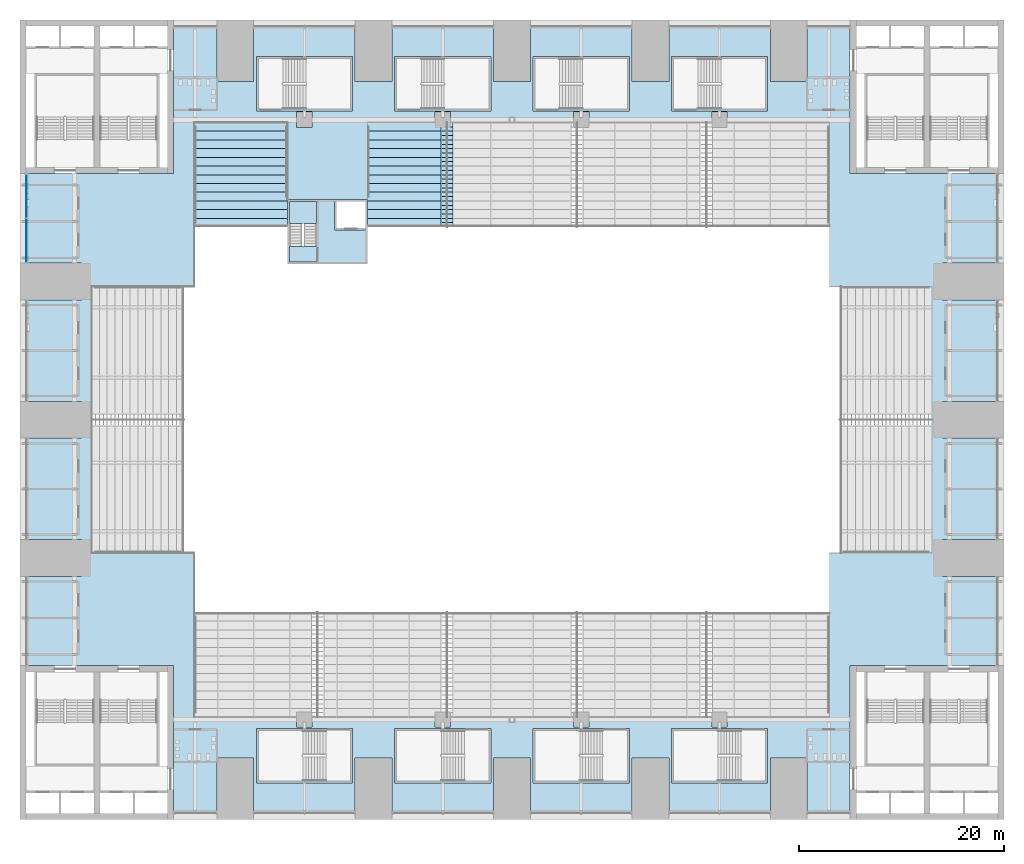
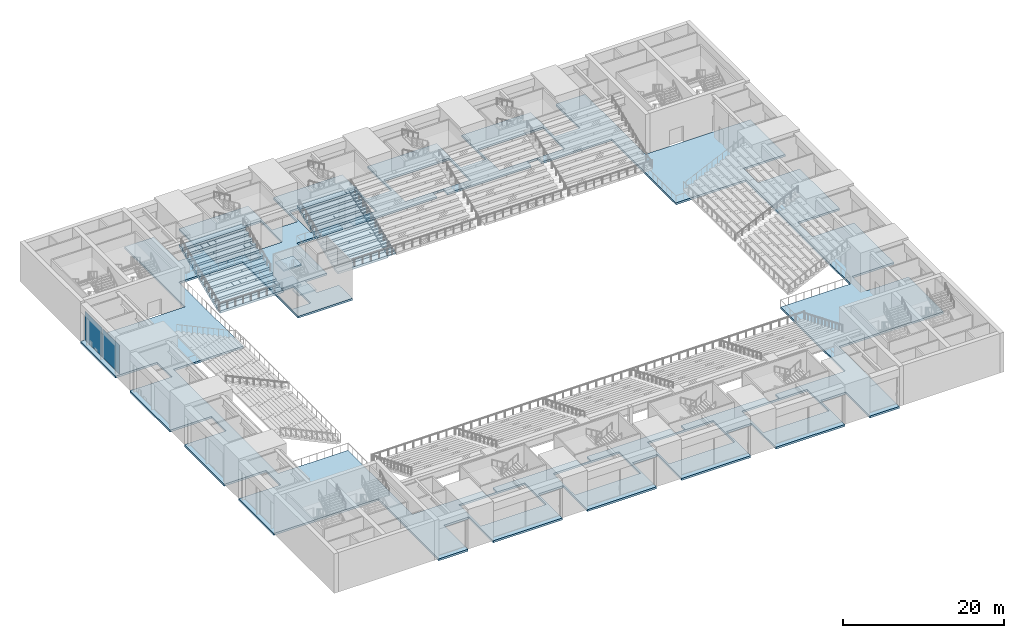
# One storey, part 20 of 61: 8 slabs, 2 plates, 2 elements without a shape of their own.
"""IFC4 building model written with IfcOpenShell, lengths in metres."""

from ifc_helpers import new_model, si_unit, direction, frame, origin, origin_2d, place, context, subcontext, project, spatial, polyline, rectangle, outline, extrude, material, layer, layer_set, type_object, element, aggregate, save


model = new_model("IFC4")

# Units and contexts
model_context = context("Model", 3, precision=1e-05, world=origin(), true_north=direction((0.0, 1.0)))
body_context = subcontext(model_context, "Body", "Model", "MODEL_VIEW")
ifc_project = project(units=[si_unit("LENGTHUNIT", "METRE"), si_unit("AREAUNIT", "SQUARE_METRE"), si_unit("VOLUMEUNIT", "CUBIC_METRE"), si_unit("PLANEANGLEUNIT", "RADIAN"), si_unit("MASSUNIT", "GRAM", prefix="KILO")], contexts=[model_context])

# Site, building, storey
site_placement = place(None, origin())
site = spatial("IfcSite", under=ifc_project, at=site_placement, CompositionType="ELEMENT")
building_placement = place(site_placement, origin())
building = spatial("IfcBuilding", under=site, at=building_placement, Name="Corbelhall Arena Tower", CompositionType="ELEMENT")
storey_placement = place(building_placement, frame((0.0, 0.0, 31.0)))
storey = spatial("IfcBuildingStorey", under=building, at=storey_placement, Name="L04", CompositionType="ELEMENT", Elevation=31.0)

# Slabs
ifc_material_1 = material(Name="Precast concrete C40/50", Category="concrete")
ifc_layer_1 = layer(ifc_material_1, 0.25)
ifc_layer_set_1 = layer_set([ifc_layer_1], Name="AISLE STEPS (BC 1029)")
slab_type_1 = type_object("IfcSlabType", Name="AISLE STEPS (BC 1029)", PredefinedType="FLOOR", material=ifc_layer_set_1)
slab_1_placement = place(storey_placement, frame((-6.320068359375, 18.800048828125, 1.625), z_axis=(0.0, 0.0, 1.0), x_axis=(0.0, 1.0, 0.0)))
element("IfcSlab", 1, at=slab_1_placement, inside=storey, type_object=slab_type_1, Name="Aisle steps UN-AIS2", PredefinedType="FLOOR", context=body_context, shape_type="SweptSolid", body=[
    extrude(outline(polyline([(0.0, 0.0), (0.0, 0.175048828125), (0.425048828125, 0.175048828125), (0.425048828125, 0.35009765625), (0.85009765625, 0.35009765625), (0.85009765625, 0.52490234375), (1.27490234375, 0.52490234375), (1.27490234375, 0.699951171875), (1.699951171875, 0.699951171875), (1.699951171875, 0.875), (2.125, 0.875), (2.125, 1.050048828125), (2.550048828125, 1.050048828125), (2.550048828125, 1.22509765625), (2.97509765625, 1.22509765625), (2.97509765625, 1.39990234375), (3.39990234375, 1.39990234375), (3.39990234375, 1.574951171875), (3.824951171875, 1.574951171875), (3.824951171875, 1.75), (4.25, 1.75), (4.25, 1.925048828125), (4.675048828125, 1.925048828125), (4.675048828125, 2.10009765625), (5.10009765625, 2.10009765625), (5.10009765625, 2.27490234375), (5.52490234375, 2.27490234375), (5.52490234375, 2.449951171875), (5.949951171875, 2.449951171875), (5.949951171875, 2.625), (6.375, 2.625), (6.375, 2.800048828125), (6.800048828125, 2.800048828125), (6.800048828125, 2.97509765625), (7.22509765625, 2.97509765625), (7.22509765625, 3.14990234375), (7.64990234375, 3.14990234375), (7.64990234375, 3.324951171875), (8.074951171875, 3.324951171875), (8.074951171875, 3.5), (8.5, 3.5), (8.5, 3.675048828125), (8.925048828125, 3.675048828125), (8.925048828125, 3.85009765625), (9.35009765625, 3.85009765625), (9.35009765625, 4.02490234375), (9.77490234375, 4.02490234375), (9.77490234375, 4.199951171875), (10.199951171875, 4.199951171875), (10.199951171875, 4.375), (10.199951171875, 3.754638671875), (1.081787109375, 0.0), (0.0, 0.0)])), frame((0.0, 0.580078125, 0.0), z_axis=(0.0, -1.0, 0.0), x_axis=(1.0, 0.0, 0.0)), (0.0, 0.0, 1.0), 1.159912109375),
])
ifc_layer_2 = layer(ifc_material_1, 0.25)
ifc_layer_set_2 = layer_set([ifc_layer_2], Name="AR-TIER-RAKED")
slab_type_2 = type_object("IfcSlabType", Name="AR-TIER-RAKED", PredefinedType="FLOOR", material=ifc_layer_set_2)
slab_2_placement = place(storey_placement, frame((-26.449951171875, 18.800048828125, 1.449951171875), z_axis=(0.0, 0.0, 1.0), x_axis=(0.0, 1.0, 0.0)))
element("IfcSlab", 2, at=slab_2_placement, inside=storey, type_object=slab_type_2, Name="Tier section UNA", PredefinedType="FLOOR", context=body_context, shape_type="SweptSolid", body=[
    extrude(outline(polyline([(0.0, 0.0), (0.0, 0.35009765625), (0.85009765625, 0.35009765625), (0.85009765625, 0.699951171875), (1.699951171875, 0.699951171875), (1.699951171875, 1.050048828125), (2.550048828125, 1.050048828125), (2.550048828125, 1.39990234375), (3.39990234375, 1.39990234375), (3.39990234375, 1.75), (4.25, 1.75), (4.25, 2.10009765625), (5.10009765625, 2.10009765625), (5.10009765625, 2.449951171875), (5.949951171875, 2.449951171875), (5.949951171875, 2.800048828125), (6.800048828125, 2.800048828125), (6.800048828125, 3.14990234375), (7.64990234375, 3.14990234375), (7.64990234375, 3.5), (8.5, 3.5), (8.5, 3.85009765625), (9.35009765625, 3.85009765625), (9.35009765625, 4.199951171875), (10.199951171875, 4.199951171875), (10.199951171875, 4.550048828125), (10.199951171875, 3.9296875), (0.656494140625, 0.0), (0.0, 0.0)])), frame((0.0, 4.550048828125, 0.0), z_axis=(0.0, -1.0, 0.0), x_axis=(1.0, 0.0, 0.0)), (0.0, 0.0, 1.0), 0.449951171875),
    extrude(outline(polyline([(0.0, 0.0), (0.0, 0.35009765625), (0.85009765625, 0.35009765625), (0.85009765625, 0.699951171875), (1.699951171875, 0.699951171875), (1.699951171875, 1.050048828125), (2.550048828125, 1.050048828125), (2.550048828125, 1.39990234375), (3.39990234375, 1.39990234375), (3.39990234375, 1.75), (4.25, 1.75), (4.25, 2.10009765625), (5.10009765625, 2.10009765625), (5.10009765625, 2.449951171875), (5.949951171875, 2.449951171875), (5.949951171875, 2.800048828125), (6.800048828125, 2.800048828125), (6.800048828125, 3.14990234375), (7.64990234375, 3.14990234375), (7.64990234375, 3.5), (8.5, 3.5), (8.5, 3.85009765625), (9.35009765625, 3.85009765625), (9.35009765625, 4.199951171875), (10.199951171875, 4.199951171875), (10.199951171875, 4.550048828125), (10.199951171875, 3.9296875), (0.656494140625, 0.0), (0.0, 0.0)])), frame((0.0, 4.095947265625, 0.0), z_axis=(0.0, -1.0, 0.0), x_axis=(1.0, 0.0, 0.0)), (0.0, 0.0, 1.0), 1.0205078125),
    extrude(outline(polyline([(0.0, 0.0), (0.0, 0.35009765625), (0.85009765625, 0.35009765625), (0.85009765625, 0.699951171875), (1.699951171875, 0.699951171875), (1.699951171875, 1.050048828125), (2.550048828125, 1.050048828125), (2.550048828125, 1.39990234375), (3.39990234375, 1.39990234375), (3.39990234375, 1.75), (4.25, 1.75), (4.25, 2.10009765625), (5.10009765625, 2.10009765625), (5.10009765625, 2.449951171875), (5.949951171875, 2.449951171875), (5.949951171875, 2.800048828125), (6.800048828125, 2.800048828125), (6.800048828125, 3.14990234375), (7.64990234375, 3.14990234375), (7.64990234375, 3.5), (8.5, 3.5), (8.5, 3.85009765625), (9.35009765625, 3.85009765625), (9.35009765625, 4.199951171875), (10.199951171875, 4.199951171875), (10.199951171875, 4.550048828125), (10.199951171875, 3.9296875), (0.656494140625, 0.0), (0.0, 0.0)])), frame((0.0, 3.071533203125, 0.0), z_axis=(0.0, -1.0, 0.0), x_axis=(1.0, 0.0, 0.0)), (0.0, 0.0, 1.0), 1.0205078125),
    extrude(outline(polyline([(0.0, 0.0), (0.0, 0.35009765625), (0.85009765625, 0.35009765625), (0.85009765625, 0.699951171875), (1.699951171875, 0.699951171875), (1.699951171875, 1.050048828125), (2.550048828125, 1.050048828125), (2.550048828125, 1.39990234375), (3.39990234375, 1.39990234375), (3.39990234375, 1.75), (4.25, 1.75), (4.25, 2.10009765625), (5.10009765625, 2.10009765625), (5.10009765625, 2.449951171875), (5.949951171875, 2.449951171875), (5.949951171875, 2.800048828125), (6.800048828125, 2.800048828125), (6.800048828125, 3.14990234375), (7.64990234375, 3.14990234375), (7.64990234375, 3.5), (8.5, 3.5), (8.5, 3.85009765625), (9.35009765625, 3.85009765625), (9.35009765625, 4.199951171875), (10.199951171875, 4.199951171875), (10.199951171875, 4.550048828125), (10.199951171875, 3.9296875), (0.656494140625, 0.0), (0.0, 0.0)])), frame((0.0, 2.047119140625, 0.0), z_axis=(0.0, -1.0, 0.0), x_axis=(1.0, 0.0, 0.0)), (0.0, 0.0, 1.0), 1.0205078125),
    extrude(outline(polyline([(0.0, 0.0), (0.0, 0.35009765625), (0.85009765625, 0.35009765625), (0.85009765625, 0.699951171875), (1.699951171875, 0.699951171875), (1.699951171875, 1.050048828125), (2.550048828125, 1.050048828125), (2.550048828125, 1.39990234375), (3.39990234375, 1.39990234375), (3.39990234375, 1.75), (4.25, 1.75), (4.25, 2.10009765625), (5.10009765625, 2.10009765625), (5.10009765625, 2.449951171875), (5.949951171875, 2.449951171875), (5.949951171875, 2.800048828125), (6.800048828125, 2.800048828125), (6.800048828125, 3.14990234375), (7.64990234375, 3.14990234375), (7.64990234375, 3.5), (8.5, 3.5), (8.5, 3.85009765625), (9.35009765625, 3.85009765625), (9.35009765625, 4.199951171875), (10.199951171875, 4.199951171875), (10.199951171875, 4.550048828125), (10.199951171875, 3.9296875), (0.656494140625, 0.0), (0.0, 0.0)])), frame((0.0, 1.0224609375, 0.0), z_axis=(0.0, -1.0, 0.0), x_axis=(1.0, 0.0, 0.0)), (0.0, 0.0, 1.0), 1.0205078125),
    extrude(outline(polyline([(0.0, 0.0), (0.0, 0.35009765625), (0.85009765625, 0.35009765625), (0.85009765625, 0.699951171875), (1.699951171875, 0.699951171875), (1.699951171875, 1.050048828125), (2.550048828125, 1.050048828125), (2.550048828125, 1.39990234375), (3.39990234375, 1.39990234375), (3.39990234375, 1.75), (4.25, 1.75), (4.25, 2.10009765625), (5.10009765625, 2.10009765625), (5.10009765625, 2.449951171875), (5.949951171875, 2.449951171875), (5.949951171875, 2.800048828125), (6.800048828125, 2.800048828125), (6.800048828125, 3.14990234375), (7.64990234375, 3.14990234375), (7.64990234375, 3.5), (8.5, 3.5), (8.5, 3.85009765625), (9.35009765625, 3.85009765625), (9.35009765625, 4.199951171875), (10.199951171875, 4.199951171875), (10.199951171875, 4.550048828125), (10.199951171875, 3.9296875), (0.656494140625, 0.0), (0.0, 0.0)])), frame((0.0, -0.001953125, 0.0), z_axis=(0.0, -1.0, 0.0), x_axis=(1.0, 0.0, 0.0)), (0.0, 0.0, 1.0), 1.0205078125),
    extrude(outline(polyline([(0.0, 0.0), (0.0, 0.35009765625), (0.85009765625, 0.35009765625), (0.85009765625, 0.699951171875), (1.699951171875, 0.699951171875), (1.699951171875, 1.050048828125), (2.550048828125, 1.050048828125), (2.550048828125, 1.39990234375), (3.39990234375, 1.39990234375), (3.39990234375, 1.75), (4.25, 1.75), (4.25, 2.10009765625), (5.10009765625, 2.10009765625), (5.10009765625, 2.449951171875), (5.949951171875, 2.449951171875), (5.949951171875, 2.800048828125), (6.800048828125, 2.800048828125), (6.800048828125, 3.14990234375), (7.64990234375, 3.14990234375), (7.64990234375, 3.5), (8.5, 3.5), (8.5, 3.85009765625), (9.35009765625, 3.85009765625), (9.35009765625, 4.199951171875), (10.199951171875, 4.199951171875), (10.199951171875, 4.550048828125), (10.199951171875, 3.9296875), (0.656494140625, 0.0), (0.0, 0.0)])), frame((0.0, -1.026611328125, 0.0), z_axis=(0.0, -1.0, 0.0), x_axis=(1.0, 0.0, 0.0)), (0.0, 0.0, 1.0), 1.0205078125),
    extrude(outline(polyline([(0.0, 0.0), (0.0, 0.35009765625), (0.85009765625, 0.35009765625), (0.85009765625, 0.699951171875), (1.699951171875, 0.699951171875), (1.699951171875, 1.050048828125), (2.550048828125, 1.050048828125), (2.550048828125, 1.39990234375), (3.39990234375, 1.39990234375), (3.39990234375, 1.75), (4.25, 1.75), (4.25, 2.10009765625), (5.10009765625, 2.10009765625), (5.10009765625, 2.449951171875), (5.949951171875, 2.449951171875), (5.949951171875, 2.800048828125), (6.800048828125, 2.800048828125), (6.800048828125, 3.14990234375), (7.64990234375, 3.14990234375), (7.64990234375, 3.5), (8.5, 3.5), (8.5, 3.85009765625), (9.35009765625, 3.85009765625), (9.35009765625, 4.199951171875), (10.199951171875, 4.199951171875), (10.199951171875, 4.550048828125), (10.199951171875, 3.9296875), (0.656494140625, 0.0), (0.0, 0.0)])), frame((0.0, -2.051025390625, 0.0), z_axis=(0.0, -1.0, 0.0), x_axis=(1.0, 0.0, 0.0)), (0.0, 0.0, 1.0), 1.0205078125),
    extrude(outline(polyline([(0.0, 0.0), (0.0, 0.35009765625), (0.85009765625, 0.35009765625), (0.85009765625, 0.699951171875), (1.699951171875, 0.699951171875), (1.699951171875, 1.050048828125), (2.550048828125, 1.050048828125), (2.550048828125, 1.39990234375), (3.39990234375, 1.39990234375), (3.39990234375, 1.75), (4.25, 1.75), (4.25, 2.10009765625), (5.10009765625, 2.10009765625), (5.10009765625, 2.449951171875), (5.949951171875, 2.449951171875), (5.949951171875, 2.800048828125), (6.800048828125, 2.800048828125), (6.800048828125, 3.14990234375), (7.64990234375, 3.14990234375), (7.64990234375, 3.5), (8.5, 3.5), (8.5, 3.85009765625), (9.35009765625, 3.85009765625), (9.35009765625, 4.199951171875), (10.199951171875, 4.199951171875), (10.199951171875, 4.550048828125), (10.199951171875, 3.9296875), (0.656494140625, 0.0), (0.0, 0.0)])), frame((0.0, -3.075439453125, 0.0), z_axis=(0.0, -1.0, 0.0), x_axis=(1.0, 0.0, 0.0)), (0.0, 0.0, 1.0), 1.0205078125),
    extrude(outline(polyline([(0.0, 0.0), (0.0, 0.35009765625), (0.85009765625, 0.35009765625), (0.85009765625, 0.699951171875), (1.699951171875, 0.699951171875), (1.699951171875, 1.050048828125), (2.550048828125, 1.050048828125), (2.550048828125, 1.39990234375), (3.39990234375, 1.39990234375), (3.39990234375, 1.75), (4.25, 1.75), (4.25, 2.10009765625), (5.10009765625, 2.10009765625), (5.10009765625, 2.449951171875), (5.949951171875, 2.449951171875), (5.949951171875, 2.800048828125), (6.800048828125, 2.800048828125), (6.800048828125, 3.14990234375), (7.64990234375, 3.14990234375), (7.64990234375, 3.5), (8.5, 3.5), (8.5, 3.85009765625), (9.35009765625, 3.85009765625), (9.35009765625, 4.199951171875), (10.199951171875, 4.199951171875), (10.199951171875, 4.550048828125), (10.199951171875, 3.9296875), (0.656494140625, 0.0), (0.0, 0.0)])), frame((0.0, -4.10009765625, 0.0), z_axis=(0.0, -1.0, 0.0), x_axis=(1.0, 0.0, 0.0)), (0.0, 0.0, 1.0), 0.449951171875),
])
slab_3_placement = place(storey_placement, frame((-10.510009765625, 18.800048828125, 1.449951171875), z_axis=(0.0, 0.0, 1.0), x_axis=(0.0, 1.0, 0.0)))
element("IfcSlab", 3, at=slab_3_placement, inside=storey, type_object=slab_type_2, Name="Tier section UNBR", PredefinedType="FLOOR", context=body_context, shape_type="SweptSolid", body=[
    extrude(outline(polyline([(0.0, 0.0), (0.0, 0.35009765625), (0.85009765625, 0.35009765625), (0.85009765625, 0.699951171875), (1.699951171875, 0.699951171875), (1.699951171875, 1.050048828125), (2.550048828125, 1.050048828125), (2.550048828125, 1.39990234375), (3.39990234375, 1.39990234375), (3.39990234375, 1.75), (4.25, 1.75), (4.25, 2.10009765625), (5.10009765625, 2.10009765625), (5.10009765625, 2.449951171875), (5.949951171875, 2.449951171875), (5.949951171875, 2.800048828125), (6.800048828125, 2.800048828125), (6.800048828125, 3.14990234375), (7.64990234375, 3.14990234375), (7.64990234375, 3.5), (8.5, 3.5), (8.5, 3.85009765625), (9.35009765625, 3.85009765625), (9.35009765625, 4.199951171875), (10.199951171875, 4.199951171875), (10.199951171875, 4.550048828125), (10.199951171875, 3.9296875), (0.656494140625, 0.0), (0.0, 0.0)])), frame((0.0, 3.58984375, 0.0), z_axis=(0.0, -1.0, 0.0), x_axis=(1.0, 0.0, 0.0)), (0.0, 0.0, 1.0), 0.449951171875),
    extrude(outline(polyline([(0.0, 0.0), (0.0, 0.35009765625), (0.85009765625, 0.35009765625), (0.85009765625, 0.699951171875), (1.699951171875, 0.699951171875), (1.699951171875, 1.050048828125), (2.550048828125, 1.050048828125), (2.550048828125, 1.39990234375), (3.39990234375, 1.39990234375), (3.39990234375, 1.75), (4.25, 1.75), (4.25, 2.10009765625), (5.10009765625, 2.10009765625), (5.10009765625, 2.449951171875), (5.949951171875, 2.449951171875), (5.949951171875, 2.800048828125), (6.800048828125, 2.800048828125), (6.800048828125, 3.14990234375), (7.64990234375, 3.14990234375), (7.64990234375, 3.5), (8.5, 3.5), (8.5, 3.85009765625), (9.35009765625, 3.85009765625), (9.35009765625, 4.199951171875), (10.199951171875, 4.199951171875), (10.199951171875, 4.550048828125), (10.199951171875, 3.9296875), (0.656494140625, 0.0), (0.0, 0.0)])), frame((0.0, 3.135986328125, 0.0), z_axis=(0.0, -1.0, 0.0), x_axis=(1.0, 0.0, 0.0)), (0.0, 0.0, 1.0), 3.134033203125),
    extrude(outline(polyline([(0.0, 0.0), (0.0, 0.35009765625), (0.85009765625, 0.35009765625), (0.85009765625, 0.699951171875), (1.699951171875, 0.699951171875), (1.699951171875, 1.050048828125), (2.550048828125, 1.050048828125), (2.550048828125, 1.39990234375), (3.39990234375, 1.39990234375), (3.39990234375, 1.75), (4.25, 1.75), (4.25, 2.10009765625), (5.10009765625, 2.10009765625), (5.10009765625, 2.449951171875), (5.949951171875, 2.449951171875), (5.949951171875, 2.800048828125), (6.800048828125, 2.800048828125), (6.800048828125, 3.14990234375), (7.64990234375, 3.14990234375), (7.64990234375, 3.5), (8.5, 3.5), (8.5, 3.85009765625), (9.35009765625, 3.85009765625), (9.35009765625, 4.199951171875), (10.199951171875, 4.199951171875), (10.199951171875, 4.550048828125), (10.199951171875, 3.9296875), (0.656494140625, 0.0), (0.0, 0.0)])), frame((0.0, -0.001953125, 0.0), z_axis=(0.0, -1.0, 0.0), x_axis=(1.0, 0.0, 0.0)), (0.0, 0.0, 1.0), 3.134033203125),
    extrude(outline(polyline([(0.0, 0.0), (0.0, 0.35009765625), (0.85009765625, 0.35009765625), (0.85009765625, 0.699951171875), (1.699951171875, 0.699951171875), (1.699951171875, 1.050048828125), (2.550048828125, 1.050048828125), (2.550048828125, 1.39990234375), (3.39990234375, 1.39990234375), (3.39990234375, 1.75), (4.25, 1.75), (4.25, 2.10009765625), (5.10009765625, 2.10009765625), (5.10009765625, 2.449951171875), (5.949951171875, 2.449951171875), (5.949951171875, 2.800048828125), (6.800048828125, 2.800048828125), (6.800048828125, 3.14990234375), (7.64990234375, 3.14990234375), (7.64990234375, 3.5), (8.5, 3.5), (8.5, 3.85009765625), (9.35009765625, 3.85009765625), (9.35009765625, 4.199951171875), (10.199951171875, 4.199951171875), (10.199951171875, 4.550048828125), (10.199951171875, 3.9296875), (0.656494140625, 0.0), (0.0, 0.0)])), frame((0.0, -3.139892578125, 0.0), z_axis=(0.0, -1.0, 0.0), x_axis=(1.0, 0.0, 0.0)), (0.0, 0.0, 1.0), 0.449951171875),
])

# Curtain wall, plates
ifc_material_2 = material(Name="Aluminium black anodised", Category="aluminium")
ifc_layer_3 = layer(ifc_material_2, 0.239990234375)
ifc_layer_set_3 = layer_set([ifc_layer_3], Name="EV-CW4 Arena concourse glazing")
curtain_wall_type = type_object("IfcCurtainWallType", Name="EV-CW4 Arena concourse glazing", PredefinedType="NOTDEFINED", material=ifc_layer_set_3)
curtain_wall_placement = place(storey_placement, origin())
curtain_wall = element("IfcCurtainWall", 4, at=curtain_wall_placement, inside=storey, type_object=curtain_wall_type, Name="Curtain wall CW4B", PredefinedType="NOTDEFINED")
ifc_material_3 = material(Name="Glass dark tinted laminated", Category="glass")
ifc_layer_4 = layer(ifc_material_3, 0.028076171875)
ifc_layer_set_4 = layer_set([ifc_layer_4], Name="EV-CW4-PANEL")
plate_type = type_object("IfcPlateType", Name="EV-CW4-PANEL", PredefinedType="CURTAIN_PANEL", material=ifc_layer_set_4)
plate_1_placement = place(storey_placement, frame((-47.3798828125, 21.80615234375, 0.074951171875), z_axis=(0.0, 0.0, 1.0), x_axis=(0.0, -1.0, 0.0)))
plate_1 = element("IfcPlate", 5, at=plate_1_placement, type_object=plate_type, Name="CW4B panel 1.1", PredefinedType="CURTAIN_PANEL", context=body_context, shape_type="SweptSolid", body=[
    extrude(rectangle(XDim=4.237548828125, YDim=0.028076171875, at=origin_2d()), origin(), (0.0, 0.0, 1.0), 4.35009765625),
])
plate_2_placement = place(storey_placement, frame((-47.3798828125, 17.49365234375, 0.074951171875), z_axis=(0.0, 0.0, 1.0), x_axis=(0.0, -1.0, 0.0)))
plate_2 = element("IfcPlate", 6, at=plate_2_placement, type_object=plate_type, Name="CW4B panel 2.1", PredefinedType="CURTAIN_PANEL", context=body_context, shape_type="SweptSolid", body=[
    extrude(rectangle(XDim=4.237548828125, YDim=0.028076171875, at=origin_2d()), origin(), (0.0, 0.0, 1.0), 4.35009765625),
])
aggregate(curtain_wall, [plate_1, plate_2])

# Slab
ifc_material_4 = material(Name="Concrete C40/50", Category="concrete")
ifc_layer_5 = layer(ifc_material_4, 0.300048828125)
ifc_layer_set_5 = layer_set([ifc_layer_5], Name="IN-SL-EAR")
slab_type_3 = type_object("IfcSlabType", Name="IN-SL-EAR", PredefinedType="FLOOR", material=ifc_layer_set_5)
slab_4_placement = place(storey_placement, frame((0.0, 0.0, -0.300048828125)))
element("IfcSlab", 7, at=slab_4_placement, inside=storey, type_object=slab_type_3, Name="Fire service turret floor", PredefinedType="FLOOR", context=body_context, shape_type="SweptSolid", body=[
    extrude(outline(polyline([(-21.89990234375, 15.199951171875), (-14.10009765625, 15.199951171875), (-14.10009765625, 18.5), (-17.300048828125, 18.5), (-17.300048828125, 21.5), (-21.89990234375, 21.5), (-21.89990234375, 15.199951171875)]), holes=[polyline([(-19.094970703125, 21.300048828125), (-21.695068359375, 21.300048828125), (-21.695068359375, 16.903076171875), (-19.094970703125, 16.903076171875), (-19.094970703125, 21.300048828125)])]), origin(), (0.0, 0.0, 1.0), 0.300048828125),
])

# Stair, slabs
stair_type = type_object("IfcStairType", Name="IN-ST-TOWER", PredefinedType="HALF_TURN_STAIR", material=ifc_material_4)
stair_placement = place(storey_placement, origin())
stair = element("IfcStair", 8, at=stair_placement, inside=storey, type_object=stair_type, Name="L04 Exit stair AS17", PredefinedType="HALF_TURN_STAIR")
ifc_layer_6 = layer(ifc_material_4, 0.199951171875)
ifc_layer_set_6 = layer_set([ifc_layer_6], Name="IN-SL-LANDING")
slab_type_4 = type_object("IfcSlabType", Name="IN-SL-LANDING", PredefinedType="LANDING", material=ifc_layer_set_6)
slab_5_placement = place(storey_placement, frame((0.0, 0.0, 1.300048828125)))
slab_5 = element("IfcSlab", 9, at=slab_5_placement, type_object=slab_type_4, Name="AS17 landing 1", PredefinedType="LANDING", context=body_context, shape_type="SweptSolid", body=[
    extrude(outline(polyline([(-19.094970703125, 19.139892578125), (-19.094970703125, 21.300048828125), (-21.695068359375, 21.300048828125), (-21.695068359375, 19.139892578125), (-19.094970703125, 19.139892578125)])), origin(), (0.0, 0.0, 1.0), 0.199951171875),
])
slab_6_placement = place(storey_placement, frame((0.0, 0.0, 2.800048828125)))
slab_6 = element("IfcSlab", 10, at=slab_6_placement, type_object=slab_type_4, Name="AS17 landing 2", PredefinedType="LANDING", context=body_context, shape_type="SweptSolid", body=[
    extrude(outline(polyline([(-19.094970703125, 15.39990234375), (-19.094970703125, 16.89990234375), (-21.695068359375, 16.89990234375), (-21.695068359375, 15.39990234375), (-19.094970703125, 15.39990234375)])), origin(), (0.0, 0.0, 1.0), 0.199951171875),
])
slab_7_placement = place(storey_placement, frame((0.0, 0.0, 4.300048828125)))
slab_7 = element("IfcSlab", 11, at=slab_7_placement, type_object=slab_type_4, Name="AS17 landing 3", PredefinedType="LANDING", context=body_context, shape_type="SweptSolid", body=[
    extrude(outline(polyline([(-19.094970703125, 19.139892578125), (-19.094970703125, 21.300048828125), (-21.695068359375, 21.300048828125), (-21.695068359375, 19.139892578125), (-19.094970703125, 19.139892578125)])), origin(), (0.0, 0.0, 1.0), 0.199951171875),
])
aggregate(stair, [slab_5, slab_6, slab_7])

# Slab
ifc_material_5 = material(Name="Concrete C32/40", Category="concrete")
ifc_layer_7 = layer(ifc_material_5, 0.300048828125)
ifc_layer_set_7 = layer_set([ifc_layer_7], Name="PO-FLOOR-SLAB")
slab_type_5 = type_object("IfcSlabType", Name="PO-FLOOR-SLAB", PredefinedType="FLOOR", material=ifc_layer_set_7)
slab_8_placement = place(storey_placement, frame((0.0, 0.0, -0.300048828125)))
element("IfcSlab", 12, at=slab_8_placement, inside=storey, type_object=slab_type_5, Name="FLOOR SLAB L04 1", PredefinedType="FLOOR", context=body_context, shape_type="SweptSolid", body=[
    extrude(outline(polyline([(48.0, -24.0), (33.0, -24.0), (33.0, -39.0), (28.800048828125, -39.0), (28.800048828125, -33.0), (25.199951171875, -33.0), (25.199951171875, -39.0), (15.300048828125, -39.0), (15.300048828125, -33.0), (11.699951171875, -33.0), (11.699951171875, -39.0), (1.800048828125, -39.0), (1.800048828125, -33.0), (-1.800048828125, -33.0), (-1.800048828125, -39.0), (-11.699951171875, -39.0), (-11.699951171875, -33.0), (-15.300048828125, -33.0), (-15.300048828125, -39.0), (-25.199951171875, -39.0), (-25.199951171875, -33.0), (-28.800048828125, -33.0), (-28.800048828125, -39.0), (-33.0, -39.0), (-33.0, -24.0), (-48.0, -24.0), (-48.0, -15.300048828125), (-42.0, -15.300048828125), (-42.0, -11.699951171875), (-48.0, -11.699951171875), (-48.0, -1.800048828125), (-42.0, -1.800048828125), (-42.0, 1.800048828125), (-48.0, 1.800048828125), (-48.0, 11.699951171875), (-42.0, 11.699951171875), (-42.0, 15.300048828125), (-48.0, 15.300048828125), (-48.0, 24.0), (-33.0, 24.0), (-33.0, 39.0), (-28.800048828125, 39.0), (-28.800048828125, 33.0), (-25.199951171875, 33.0), (-25.199951171875, 39.0), (-15.300048828125, 39.0), (-15.300048828125, 33.0), (-11.699951171875, 33.0), (-11.699951171875, 39.0), (-1.800048828125, 39.0), (-1.800048828125, 33.0), (1.800048828125, 33.0), (1.800048828125, 39.0), (11.699951171875, 39.0), (11.699951171875, 33.0), (15.300048828125, 33.0), (15.300048828125, 39.0), (25.199951171875, 39.0), (25.199951171875, 33.0), (28.800048828125, 33.0), (28.800048828125, 39.0), (33.0, 39.0), (33.0, 24.0), (48.0, 24.0), (48.0, 15.300048828125), (42.0, 15.300048828125), (42.0, 11.699951171875), (48.0, 11.699951171875), (48.0, 1.800048828125), (42.0, 1.800048828125), (42.0, -1.800048828125), (48.0, -1.800048828125), (48.0, -11.699951171875), (42.0, -11.699951171875), (42.0, -15.300048828125), (48.0, -15.300048828125), (48.0, -24.0)]), holes=[polyline([(-24.949951171875, -35.449951171875), (-15.550048828125, -35.449951171875), (-15.550048828125, -30.10009765625), (-24.949951171875, -30.10009765625), (-24.949951171875, -35.449951171875)]), polyline([(-11.449951171875, -35.449951171875), (-2.050048828125, -35.449951171875), (-2.050048828125, -30.10009765625), (-11.449951171875, -30.10009765625), (-11.449951171875, -35.449951171875)]), polyline([(-19.5, -30.0), (-19.5, -29.0), (-7.5, -29.0), (-7.5, -30.0), (-6.0, -30.0), (-6.0, -29.0), (6.0, -29.0), (6.0, -30.0), (7.5, -30.0), (7.5, -29.0), (19.5, -29.0), (19.5, -30.0), (21.0, -30.0), (21.0, -29.0), (31.0, -29.0), (31.0, -13.0), (41.0, -13.0), (41.0, 13.0), (31.0, 13.0), (31.0, 29.0), (21.0, 29.0), (21.0, 30.0), (19.5, 30.0), (19.5, 29.0), (7.5, 29.0), (7.5, 30.0), (6.0, 30.0), (6.0, 29.0), (-6.0, 29.0), (-6.0, 30.0), (-7.5, 30.0), (-7.5, 29.0), (-14.10009765625, 29.0), (-14.10009765625, 21.5), (-21.89990234375, 21.5), (-21.89990234375, 29.0), (-31.0, 29.0), (-31.0, 13.0), (-41.0, 13.0), (-41.0, -13.0), (-31.0, -13.0), (-31.0, -29.0), (-21.0, -29.0), (-21.0, -30.0), (-19.5, -30.0)]), polyline([(-19.5, 28.5), (-19.5, 30.0), (-21.0, 30.0), (-21.0, 28.5), (-19.5, 28.5)]), polyline([(-24.949951171875, 30.10009765625), (-15.550048828125, 30.10009765625), (-15.550048828125, 35.449951171875), (-24.949951171875, 35.449951171875), (-24.949951171875, 30.10009765625)]), polyline([(-11.449951171875, 30.10009765625), (-2.050048828125, 30.10009765625), (-2.050048828125, 35.449951171875), (-11.449951171875, 35.449951171875), (-11.449951171875, 30.10009765625)]), polyline([(2.050048828125, -35.449951171875), (11.449951171875, -35.449951171875), (11.449951171875, -30.10009765625), (2.050048828125, -30.10009765625), (2.050048828125, -35.449951171875)]), polyline([(15.550048828125, -35.449951171875), (24.949951171875, -35.449951171875), (24.949951171875, -30.10009765625), (15.550048828125, -30.10009765625), (15.550048828125, -35.449951171875)]), polyline([(15.550048828125, 30.10009765625), (24.949951171875, 30.10009765625), (24.949951171875, 35.449951171875), (15.550048828125, 35.449951171875), (15.550048828125, 30.10009765625)]), polyline([(2.050048828125, 30.10009765625), (11.449951171875, 30.10009765625), (11.449951171875, 35.449951171875), (2.050048828125, 35.449951171875), (2.050048828125, 30.10009765625)])]), origin(), (0.0, 0.0, 1.0), 0.300048828125),
])

save(model, "model.ifc")
